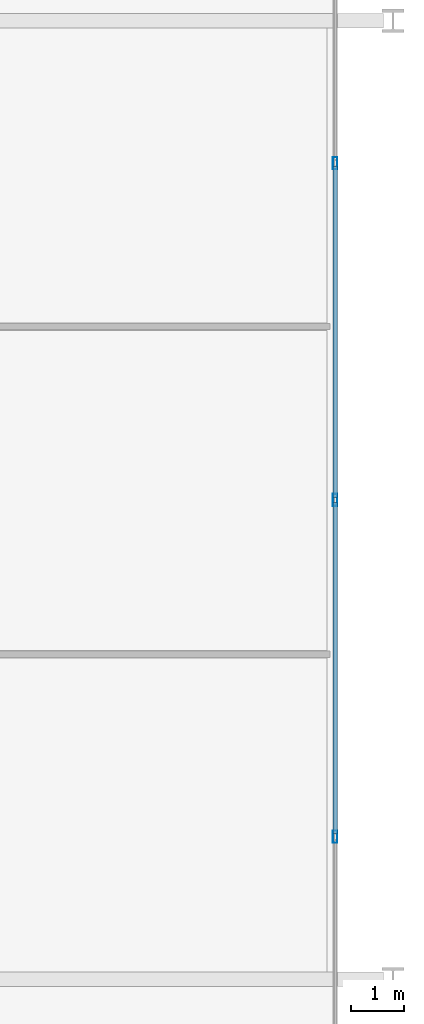
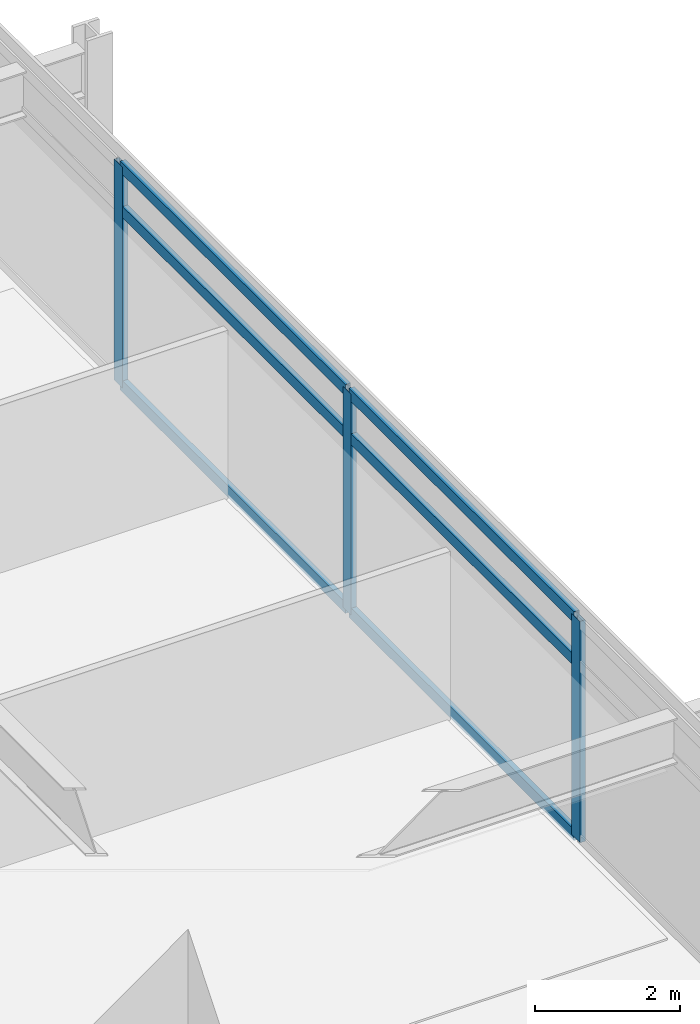
# One storey, part 4 of 24: 9 members, 1 element without a shape of its own.
"""IFC4 building model written with IfcOpenShell, lengths in metres."""

from ifc_helpers import new_model, si_unit, direction, frame, origin, origin_2d, place, context, subcontext, project, spatial, hollow_rectangle, extrude, material, material_profile, profile_set, type_object, element, aggregate, save


model = new_model("IFC4")

# Units and contexts
model_context = context("Model", 3, precision=1e-05, world=origin(), true_north=direction((0.0, 1.0)))
body_context = subcontext(model_context, "Body", "Model", "MODEL_VIEW")
ifc_project = project(units=[si_unit("LENGTHUNIT", "METRE"), si_unit("AREAUNIT", "SQUARE_METRE"), si_unit("VOLUMEUNIT", "CUBIC_METRE"), si_unit("PLANEANGLEUNIT", "RADIAN"), si_unit("MASSUNIT", "GRAM", prefix="KILO")], contexts=[model_context])

# Site, building, storey
site_placement = place(None, origin())
site = spatial("IfcSite", under=ifc_project, at=site_placement, CompositionType="ELEMENT")
building_placement = place(site_placement, origin())
building = spatial("IfcBuilding", under=site, at=building_placement, Name="Kovane Verandah Tower", CompositionType="ELEMENT")
storey_placement = place(building_placement, frame((0.0, 0.0, 144.39990234375)))
storey = spatial("IfcBuildingStorey", under=building, at=storey_placement, Name="L33", CompositionType="ELEMENT", Elevation=144.39990234375)

# Curtain wall, members
ifc_material_1 = material(Name="Champagne Anodised Aluminium Frame with Low-E Clear Laminated Glass", Category="aluminium")
curtain_wall_type = type_object("IfcCurtainWallType", Name="CW-SYS-03-MID", PredefinedType="NOTDEFINED", material=ifc_material_1)
curtain_wall_placement = place(storey_placement, origin())
curtain_wall = element("IfcCurtainWall", 1, at=curtain_wall_placement, inside=storey, type_object=curtain_wall_type, Name="L33 E Unitised Curtain Wall", PredefinedType="NOTDEFINED")
ifc_material_2 = material(Name="Champagne Anodised Aluminium 6063-T6", Category="aluminium")
ifc_material_profile_1 = material_profile(ifc_material_2, hollow_rectangle(XDim=0.0849609375, YDim=0.22998046875, WallThickness=0.00390625, at=origin_2d()), Name="AL85x230x4")
ifc_profile_set_1 = profile_set([ifc_material_profile_1], Name="Champagne Anodised Aluminium 6063-T6")
member_type_1 = type_object("IfcMemberType", Name="CW-MUL-85x230", PredefinedType="MULLION", material=ifc_profile_set_1)
member_1_placement = place(storey_placement, frame((66.513916015625, 21.175048828125, 0.02001953125), z_axis=(0.0, 0.0, 1.0), x_axis=(1.0, 0.0, 0.0)))
member_1 = element("IfcMember", 2, at=member_1_placement, type_object=member_type_1, Name="L33 E Unitised Curtain Wall Mullion 3", PredefinedType="MULLION", context=body_context, shape_type="SweptSolid", body=[
    extrude(hollow_rectangle(XDim=0.0849609375, YDim=0.22998046875, WallThickness=0.00390625, at=origin_2d()), origin(), (0.0, 0.0, 1.0), 3.735107421875),
])
member_2_placement = place(storey_placement, frame((66.513916015625, 27.5, 0.02001953125), z_axis=(0.0, 0.0, 1.0), x_axis=(1.0, 0.0, 0.0)))
member_2 = element("IfcMember", 3, at=member_2_placement, type_object=member_type_1, Name="L33 E Unitised Curtain Wall Mullion 4", PredefinedType="MULLION", context=body_context, shape_type="SweptSolid", body=[
    extrude(hollow_rectangle(XDim=0.0849609375, YDim=0.22998046875, WallThickness=0.00390625, at=origin_2d()), origin(), (0.0, 0.0, 1.0), 3.735107421875),
])
member_3_placement = place(storey_placement, frame((66.513916015625, 33.824951171875, 0.02001953125), z_axis=(0.0, 0.0, 1.0), x_axis=(1.0, 0.0, 0.0)))
member_3 = element("IfcMember", 4, at=member_3_placement, type_object=member_type_1, Name="L33 E Unitised Curtain Wall Mullion 5", PredefinedType="MULLION", context=body_context, shape_type="SweptSolid", body=[
    extrude(hollow_rectangle(XDim=0.0849609375, YDim=0.22998046875, WallThickness=0.00390625, at=origin_2d()), origin(), (0.0, 0.0, 1.0), 3.735107421875),
])
ifc_material_profile_2 = material_profile(ifc_material_2, hollow_rectangle(XDim=0.0849609375, YDim=0.18994140625, WallThickness=0.00390625, at=origin_2d()), Name="AL85x190x4")
ifc_profile_set_2 = profile_set([ifc_material_profile_2], Name="Champagne Anodised Aluminium 6063-T6")
member_type_2 = type_object("IfcMemberType", Name="CW-TRN-85x190", PredefinedType="USERDEFINED", material=ifc_profile_set_2)
member_4_placement = place(storey_placement, frame((66.513916015625, 21.22509765625, 0.050048828125), z_axis=(0.0, 1.0, 0.0), x_axis=(-1.0, 0.0, 0.0)))
member_4 = element("IfcMember", 5, at=member_4_placement, type_object=member_type_2, Name="L33 E Unitised Curtain Wall Transom TB Bay 3", ObjectType="TRANSOM", PredefinedType="USERDEFINED", context=body_context, shape_type="SweptSolid", body=[
    extrude(hollow_rectangle(XDim=0.0849609375, YDim=0.18994140625, WallThickness=0.00390625, at=origin_2d()), origin(), (0.0, 0.0, 1.0), 6.224853515625),
])
member_5_placement = place(storey_placement, frame((66.513916015625, 21.22509765625, 2.9951171875), z_axis=(0.0, 1.0, 0.0), x_axis=(-1.0, 0.0, 0.0)))
member_5 = element("IfcMember", 6, at=member_5_placement, type_object=member_type_2, Name="L33 E Unitised Curtain Wall Transom TM Bay 3", ObjectType="TRANSOM", PredefinedType="USERDEFINED", context=body_context, shape_type="SweptSolid", body=[
    extrude(hollow_rectangle(XDim=0.0849609375, YDim=0.18994140625, WallThickness=0.00390625, at=origin_2d()), origin(), (0.0, 0.0, 1.0), 6.224853515625),
])
member_6_placement = place(storey_placement, frame((66.513916015625, 21.22509765625, 3.72509765625), z_axis=(0.0, 1.0, 0.0), x_axis=(-1.0, 0.0, 0.0)))
member_6 = element("IfcMember", 7, at=member_6_placement, type_object=member_type_2, Name="L33 E Unitised Curtain Wall Transom TT Bay 3", ObjectType="TRANSOM", PredefinedType="USERDEFINED", context=body_context, shape_type="SweptSolid", body=[
    extrude(hollow_rectangle(XDim=0.0849609375, YDim=0.18994140625, WallThickness=0.00390625, at=origin_2d()), origin(), (0.0, 0.0, 1.0), 6.224853515625),
])
member_7_placement = place(storey_placement, frame((66.513916015625, 27.550048828125, 0.050048828125), z_axis=(0.0, 1.0, 0.0), x_axis=(-1.0, 0.0, 0.0)))
member_7 = element("IfcMember", 8, at=member_7_placement, type_object=member_type_2, Name="L33 E Unitised Curtain Wall Transom TB Bay 4", ObjectType="TRANSOM", PredefinedType="USERDEFINED", context=body_context, shape_type="SweptSolid", body=[
    extrude(hollow_rectangle(XDim=0.0849609375, YDim=0.18994140625, WallThickness=0.00390625, at=origin_2d()), origin(), (0.0, 0.0, 1.0), 6.224853515625),
])
member_8_placement = place(storey_placement, frame((66.513916015625, 27.550048828125, 2.9951171875), z_axis=(0.0, 1.0, 0.0), x_axis=(-1.0, 0.0, 0.0)))
member_8 = element("IfcMember", 9, at=member_8_placement, type_object=member_type_2, Name="L33 E Unitised Curtain Wall Transom TM Bay 4", ObjectType="TRANSOM", PredefinedType="USERDEFINED", context=body_context, shape_type="SweptSolid", body=[
    extrude(hollow_rectangle(XDim=0.0849609375, YDim=0.18994140625, WallThickness=0.00390625, at=origin_2d()), origin(), (0.0, 0.0, 1.0), 6.224853515625),
])
member_9_placement = place(storey_placement, frame((66.513916015625, 27.550048828125, 3.72509765625), z_axis=(0.0, 1.0, 0.0), x_axis=(-1.0, 0.0, 0.0)))
member_9 = element("IfcMember", 10, at=member_9_placement, type_object=member_type_2, Name="L33 E Unitised Curtain Wall Transom TT Bay 4", ObjectType="TRANSOM", PredefinedType="USERDEFINED", context=body_context, shape_type="SweptSolid", body=[
    extrude(hollow_rectangle(XDim=0.0849609375, YDim=0.18994140625, WallThickness=0.00390625, at=origin_2d()), origin(), (0.0, 0.0, 1.0), 6.224853515625),
])
aggregate(curtain_wall, [member_1, member_2, member_3, member_4, member_5, member_6, member_7, member_8, member_9])

save(model, "model.ifc")
